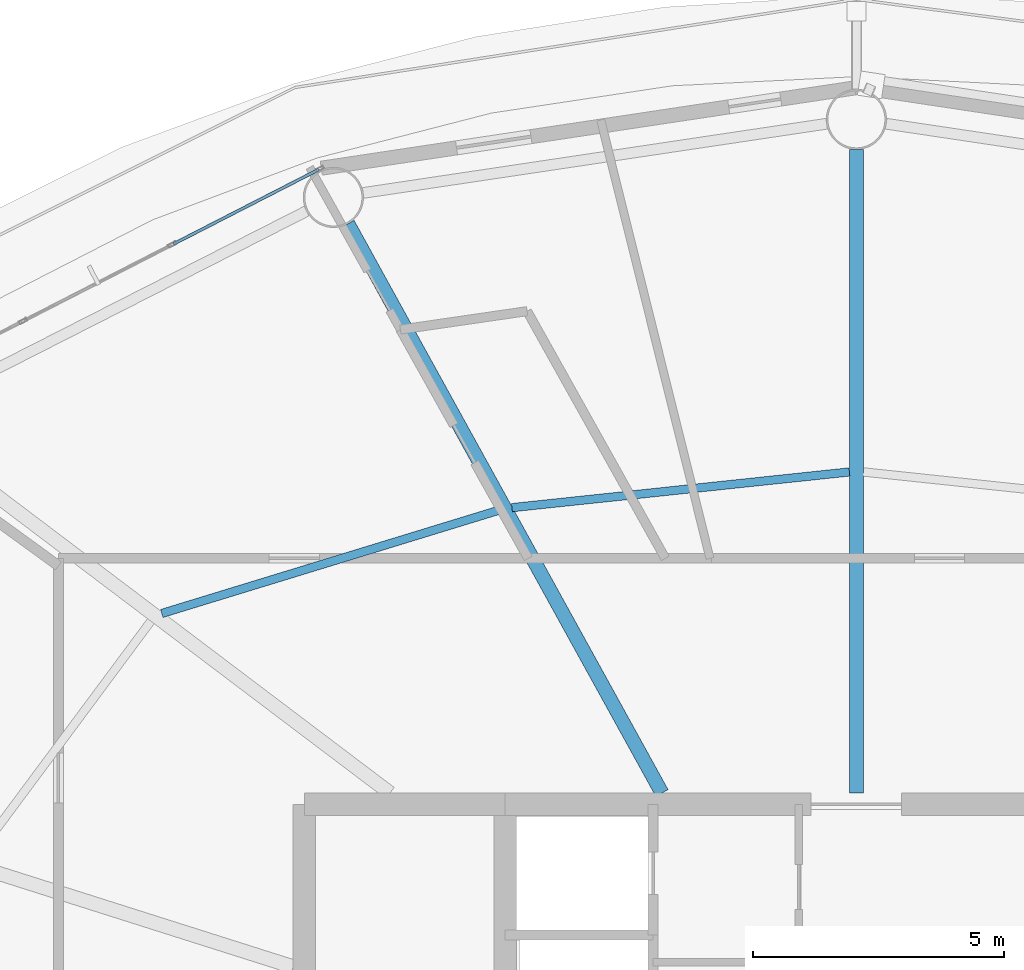
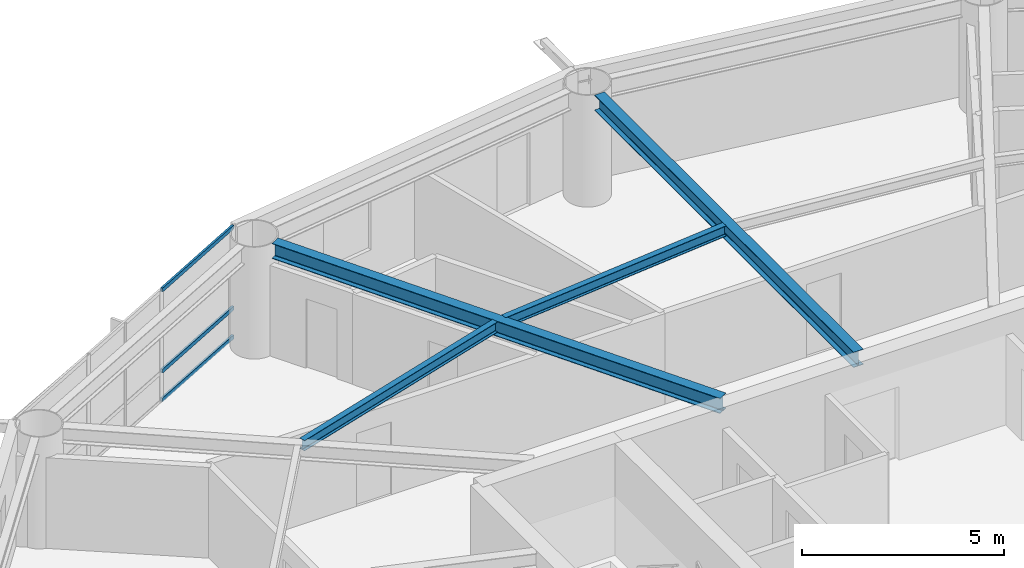
# One storey, part 12 of 28: 4 beams, 3 members, 1 element without a shape of its own.
"""IFC4 building model written with IfcOpenShell, lengths in metres."""

from ifc_helpers import new_model, si_unit, direction, frame, origin, origin_2d, place, context, subcontext, project, spatial, hollow_rectangle, i_section, extrude, material, layer, layer_set, material_profile, profile_set, type_object, element, aggregate, save


model = new_model("IFC4")

# Units and contexts
model_context = context("Model", 3, precision=1e-05, world=origin(), true_north=direction((0.0, 1.0)))
body_context = subcontext(model_context, "Body", "Model", "MODEL_VIEW")
ifc_project = project(units=[si_unit("LENGTHUNIT", "METRE"), si_unit("AREAUNIT", "SQUARE_METRE"), si_unit("VOLUMEUNIT", "CUBIC_METRE"), si_unit("PLANEANGLEUNIT", "RADIAN"), si_unit("MASSUNIT", "GRAM", prefix="KILO")], contexts=[model_context])

# Site, building, storey
site_placement = place(None, origin())
site = spatial("IfcSite", under=ifc_project, at=site_placement, CompositionType="ELEMENT")
building_placement = place(site_placement, origin())
building = spatial("IfcBuilding", under=site, at=building_placement, Name="Sarneth Arch Tower", CompositionType="ELEMENT")
storey_placement = place(building_placement, frame((0.0, 0.0, 183.0)))
storey = spatial("IfcBuildingStorey", under=building, at=storey_placement, Name="L46", CompositionType="ELEMENT", Elevation=183.0)

# Beams
ifc_material_1 = material(Name="Steel S355", Category="steel")
ifc_material_profile_1 = material_profile(ifc_material_1, i_section(OverallWidth=0.1669921875, OverallDepth=0.31689453125, WebThickness=0.007568359375, FlangeThickness=0.01318359375, FilletRadius=0.012939453125, at=origin_2d()), Name="W310x52")
ifc_profile_set_1 = profile_set([ifc_material_profile_1], Name="Steel S355")
beam_type_1 = type_object("IfcBeamType", Name="BM-JOIST-310B", PredefinedType="JOIST", material=ifc_profile_set_1)
beam_1_placement = place(storey_placement, frame((47.86083984375, 55.4228515625, 3.221435546875), z_axis=(-0.994447340543, -0.105235387994, 0.0), x_axis=(0.105235387994, -0.994447340543, 0.0)))
element("IfcBeam", 1, at=beam_1_placement, inside=storey, type_object=beam_type_1, Name="L46 Secondary floor joist 05", PredefinedType="JOIST", context=body_context, shape_type="SweptSolid", body=[
    extrude(i_section(OverallWidth=0.1669921875, OverallDepth=0.31689453125, WebThickness=0.007568359375, FlangeThickness=0.01318359375, FilletRadius=0.012939453125, at=origin_2d()), origin(), (0.0, 0.0, 1.0), 6.7626953125),
])
beam_2_placement = place(storey_placement, frame((40.862548828125, 54.655517578125, 3.221435546875), z_axis=(-0.956178669891, -0.292783796076, 0.0), x_axis=(0.292783796076, -0.956178669891, 0.0)))
element("IfcBeam", 2, at=beam_2_placement, inside=storey, type_object=beam_type_1, Name="L46 Secondary floor joist 06", PredefinedType="JOIST", context=body_context, shape_type="SweptSolid", body=[
    extrude(i_section(OverallWidth=0.1669921875, OverallDepth=0.31689453125, WebThickness=0.007568359375, FlangeThickness=0.01318359375, FilletRadius=0.012939453125, at=origin_2d()), origin(), (0.0, 0.0, 1.0), 7.010986328125),
])
ifc_material_2 = material(Name="Steel S355", Category="steel")
ifc_material_profile_2 = material_profile(ifc_material_2, i_section(OverallWidth=0.280029296875, OverallDepth=0.462890625, WebThickness=0.0107421875, FlangeThickness=0.017333984375, FilletRadius=0.01806640625, at=origin_2d()), Name="W460x113")
ifc_profile_set_2 = profile_set([ifc_material_profile_2], Name="Steel S355")
beam_type_2 = type_object("IfcBeamType", Name="BM-RAD-460A", PredefinedType="BEAM", material=ifc_profile_set_2)
beam_3_placement = place(storey_placement, frame((48.0, 49.02490234375, 3.1484375), z_axis=(0.0, 1.0, 0.0), x_axis=(-1.0, 0.0, 0.0)))
element("IfcBeam", 3, at=beam_3_placement, inside=storey, type_object=beam_type_2, Name="L46 Radial floor girder 05", PredefinedType="BEAM", context=body_context, shape_type="SweptSolid", body=[
    extrude(i_section(OverallWidth=0.280029296875, OverallDepth=0.462890625, WebThickness=0.0107421875, FlangeThickness=0.017333984375, FilletRadius=0.01806640625, at=origin_2d()), origin(), (0.0, 0.0, 1.0), 12.8251953125),
])
beam_4_placement = place(storey_placement, frame((44.125, 49.02490234375, 3.1484375), z_axis=(-0.483010082599, 0.875614789795, 0.0), x_axis=(-0.875614789795, -0.483010082599, 0.0)))
element("IfcBeam", 4, at=beam_4_placement, inside=storey, type_object=beam_type_2, Name="L46 Radial floor girder 06", PredefinedType="BEAM", context=body_context, shape_type="SweptSolid", body=[
    extrude(i_section(OverallWidth=0.280029296875, OverallDepth=0.462890625, WebThickness=0.0107421875, FlangeThickness=0.017333984375, FilletRadius=0.01806640625, at=origin_2d()), origin(), (0.0, 0.0, 1.0), 12.954345703125),
])

# Curtain wall, members
ifc_material_3 = material(Name="Anodised aluminium Type AA25 and solar-control low-e laminated IGU", Category="aluminium")
ifc_layer = layer(ifc_material_3, 0.169921875)
ifc_layer_set = layer_set([ifc_layer], Name="Anodised aluminium Type AA25 and solar-control low-e laminated IGU")
curtain_wall_type = type_object("IfcCurtainWallType", Name="CW-RES-MID", PredefinedType="NOTDEFINED", material=ifc_layer_set)
curtain_wall_placement = place(storey_placement, origin())
curtain_wall = element("IfcCurtainWall", 5, at=curtain_wall_placement, inside=storey, type_object=curtain_wall_type, Name="L46 Unitised curtain wall facet 06", PredefinedType="NOTDEFINED")
ifc_material_4 = material(Name="Anodised Aluminium 6063-T6", Category="aluminium")
ifc_material_profile_3 = material_profile(ifc_material_4, hollow_rectangle(XDim=0.06005859375, YDim=0.1201171875, WallThickness=0.00390625, at=origin_2d()), Name="AL-TRAN-120x60x4")
ifc_profile_set_3 = profile_set([ifc_material_profile_3], Name="Anodised Aluminium 6063-T6")
member_type = type_object("IfcMemberType", Name="CW-TRANSOM", PredefinedType="USERDEFINED", material=ifc_profile_set_3)
member_1_placement = place(storey_placement, frame((37.28369140625, 61.447998046875, 0.030029296875), z_axis=(-0.889857362344, -0.456238835131, 0.0), x_axis=(0.456238835131, -0.889857362344, 0.0)))
member_1 = element("IfcMember", 6, at=member_1_placement, type_object=member_type, Name="CW-SYS-5 transom 1.1", ObjectType="TRANSOM", PredefinedType="USERDEFINED", context=body_context, shape_type="SweptSolid", body=[
    extrude(hollow_rectangle(XDim=0.06005859375, YDim=0.1201171875, WallThickness=0.00390625, at=origin_2d()), origin(), (0.0, 0.0, 1.0), 3.248779296875),
])
member_2_placement = place(storey_placement, frame((37.28369140625, 61.447998046875, 0.89990234375), z_axis=(-0.889857362344, -0.456238835131, 0.0), x_axis=(0.456238835131, -0.889857362344, 0.0)))
member_2 = element("IfcMember", 7, at=member_2_placement, type_object=member_type, Name="CW-SYS-5 transom 1.2", ObjectType="TRANSOM", PredefinedType="USERDEFINED", context=body_context, shape_type="SweptSolid", body=[
    extrude(hollow_rectangle(XDim=0.06005859375, YDim=0.1201171875, WallThickness=0.00390625, at=origin_2d()), origin(), (0.0, 0.0, 1.0), 3.248779296875),
])
member_3_placement = place(storey_placement, frame((37.28369140625, 61.447998046875, 3.35009765625), z_axis=(-0.889857362344, -0.456238835131, 0.0), x_axis=(0.456238835131, -0.889857362344, 0.0)))
member_3 = element("IfcMember", 8, at=member_3_placement, type_object=member_type, Name="CW-SYS-5 transom 1.3", ObjectType="TRANSOM", PredefinedType="USERDEFINED", context=body_context, shape_type="SweptSolid", body=[
    extrude(hollow_rectangle(XDim=0.06005859375, YDim=0.1201171875, WallThickness=0.00390625, at=origin_2d()), origin(), (0.0, 0.0, 1.0), 3.248779296875),
])
aggregate(curtain_wall, [member_1, member_2, member_3])

save(model, "model.ifc")
